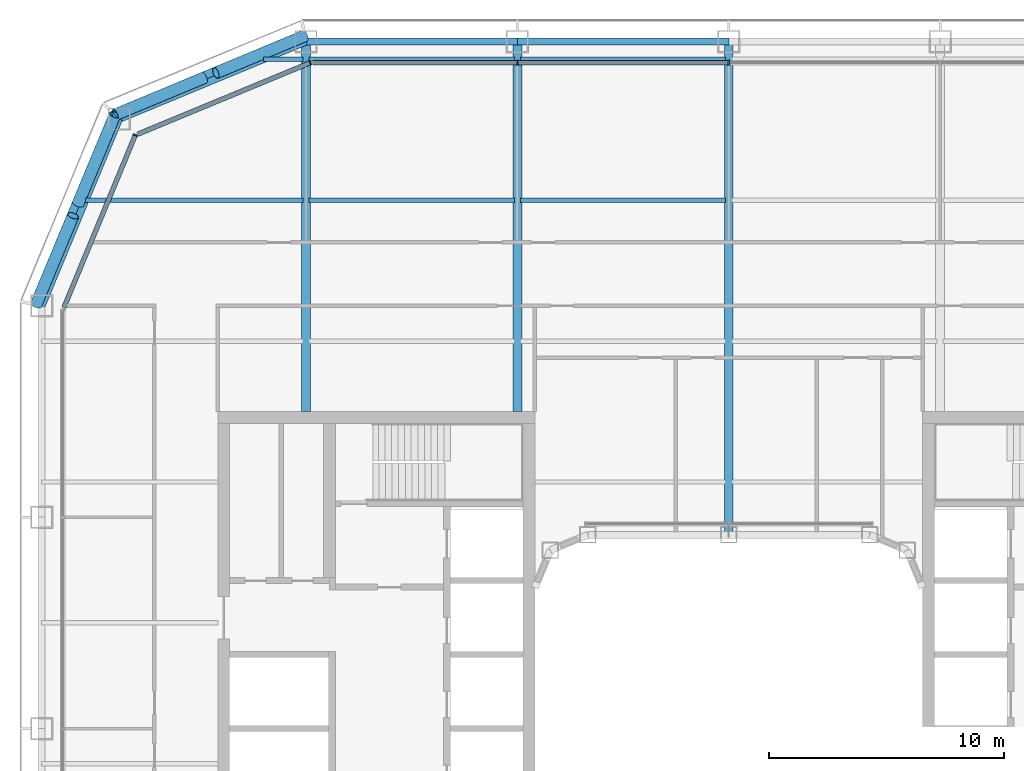
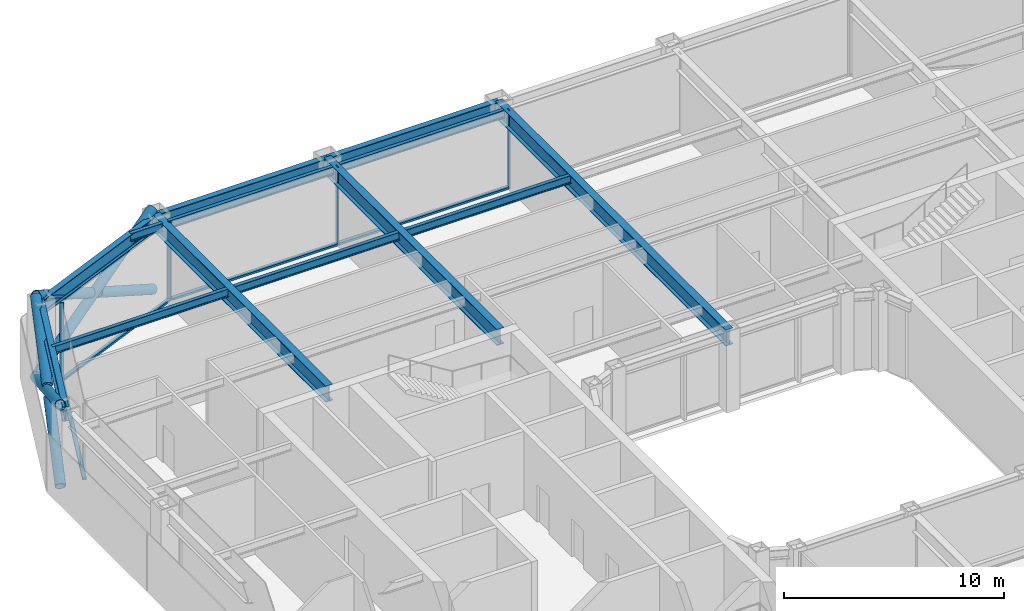
# One storey, part 7 of 21: 14 members, 13 beams, 3 elements without a shape of their own.
"""IFC4 building model written with IfcOpenShell, lengths in metres."""

from ifc_helpers import new_model, si_unit, direction, frame, origin, origin_2d, place, context, subcontext, project, spatial, rectangle, hollow_circle, i_section, extrude, material, layer, layer_set, material_profile, profile_set, type_object, element, aggregate, save


model = new_model("IFC4")

# Units and contexts
model_context = context("Model", 3, precision=1e-05, world=origin(), true_north=direction((0.0, 1.0)))
body_context = subcontext(model_context, "Body", "Model", "MODEL_VIEW")
ifc_project = project(units=[si_unit("LENGTHUNIT", "METRE"), si_unit("AREAUNIT", "SQUARE_METRE"), si_unit("VOLUMEUNIT", "CUBIC_METRE"), si_unit("PLANEANGLEUNIT", "RADIAN"), si_unit("MASSUNIT", "GRAM", prefix="KILO")], contexts=[model_context])

# Site, building, storey
site_placement = place(None, origin())
site = spatial("IfcSite", under=ifc_project, at=site_placement, CompositionType="ELEMENT")
building_placement = place(site_placement, origin())
building = spatial("IfcBuilding", under=site, at=building_placement, Name="Siwar Civic Tower", CompositionType="ELEMENT")
storey_placement = place(building_placement, frame((0.0, 0.0, 122.699951171875)))
storey = spatial("IfcBuildingStorey", under=building, at=storey_placement, Name="L26", CompositionType="ELEMENT", Elevation=122.699951171875)

# Curtain wall, members
ifc_material_1 = material(Name="Aluminium and glass", Category="aluminium")
ifc_layer_1 = layer(ifc_material_1, 0.199951171875)
ifc_layer_set_1 = layer_set([ifc_layer_1], Name="Aluminium and glass")
curtain_wall_type_1 = type_object("IfcCurtainWallType", Name="ENV-CW-B", PredefinedType="NOTDEFINED", material=ifc_layer_set_1)
curtain_wall_1_placement = place(storey_placement, origin())
curtain_wall_1 = element("IfcCurtainWall", 1, at=curtain_wall_1_placement, inside=storey, type_object=curtain_wall_type_1, Name="Curtain wall B N", PredefinedType="NOTDEFINED")
ifc_material_2 = material(Name="Aluminium 6063-T6", Category="aluminium")
ifc_material_profile_1 = material_profile(ifc_material_2, rectangle(XDim=0.199951171875, YDim=0.06494140625, at=origin_2d()), Name="AL 200x65")
ifc_profile_set_1 = profile_set([ifc_material_profile_1], Name="Aluminium 6063-T6")
member_type_1 = type_object("IfcMemberType", Name="ENV-MULLION-B", PredefinedType="MULLION", material=ifc_profile_set_1)
member_1_placement = place(storey_placement, frame((0.0, 28.35009765625, 0.0), z_axis=(0.0, 0.0, 1.0), x_axis=(0.0, -1.0, 0.0)))
member_1 = element("IfcMember", 2, at=member_1_placement, type_object=member_type_1, Name="Mullion B N 3", PredefinedType="MULLION", context=body_context, shape_type="SweptSolid", body=[
    extrude(rectangle(XDim=0.199951171875, YDim=0.06494140625, at=origin_2d()), origin(), (0.0, 0.0, 1.0), 4.35009765625),
])
member_2_placement = place(storey_placement, frame((-9.0, 28.35009765625, 0.0), z_axis=(0.0, 0.0, 1.0), x_axis=(0.0, -1.0, 0.0)))
member_2 = element("IfcMember", 3, at=member_2_placement, type_object=member_type_1, Name="Mullion B N 4", PredefinedType="MULLION", context=body_context, shape_type="SweptSolid", body=[
    extrude(rectangle(XDim=0.199951171875, YDim=0.06494140625, at=origin_2d()), origin(), (0.0, 0.0, 1.0), 4.35009765625),
])

# Curtain wall, member
ifc_material_3 = material(Name="Aluminium clad insulated panel", Category="aluminium")
ifc_layer_2 = layer(ifc_material_3, 0.199951171875)
ifc_layer_set_2 = layer_set([ifc_layer_2], Name="Aluminium clad insulated panel")
curtain_wall_type_2 = type_object("IfcCurtainWallType", Name="ENV-CW-BX", PredefinedType="NOTDEFINED", material=ifc_layer_set_2)
curtain_wall_2_placement = place(storey_placement, origin())
curtain_wall_2 = element("IfcCurtainWall", 4, at=curtain_wall_2_placement, inside=storey, type_object=curtain_wall_type_2, Name="Curtain wall B NW1", PredefinedType="NOTDEFINED")
member_3_placement = place(storey_placement, frame((-17.821044921875, 28.35009765625, 0.0), z_axis=(0.0, 0.0, 1.0), x_axis=(0.382683432365, -0.923879532511, 0.0)))
member_3 = element("IfcMember", 5, at=member_3_placement, type_object=member_type_1, Name="Mullion B NW1 1", PredefinedType="MULLION", context=body_context, shape_type="SweptSolid", body=[
    extrude(rectangle(XDim=0.199951171875, YDim=0.06494140625, at=origin_2d()), origin(), (0.0, 0.0, 1.0), 4.35009765625),
])

curtain_wall_3_placement = place(storey_placement, origin())
curtain_wall_3 = element("IfcCurtainWall", 6, at=curtain_wall_3_placement, inside=storey, type_object=curtain_wall_type_2, Name="Curtain wall B NW2", PredefinedType="NOTDEFINED")
member_4_placement = place(storey_placement, frame((-25.26611328125, 25.26611328125, 0.0), z_axis=(0.0, 0.0, 1.0), x_axis=(0.923879532511, -0.382683432365, 0.0)))
member_4 = element("IfcMember", 7, at=member_4_placement, type_object=member_type_1, Name="Mullion B NW2 1", PredefinedType="MULLION", context=body_context, shape_type="SweptSolid", body=[
    extrude(rectangle(XDim=0.199951171875, YDim=0.06494140625, at=origin_2d()), origin(), (0.0, 0.0, 1.0), 4.35009765625),
])

# Member
ifc_material_4 = material(Name="Aluminium 6063-T6", Category="aluminium")
ifc_material_profile_2 = material_profile(ifc_material_4, rectangle(XDim=0.199951171875, YDim=0.110107421875, at=origin_2d()), Name="AL 200x110")
ifc_profile_set_2 = profile_set([ifc_material_profile_2], Name="Aluminium 6063-T6")
member_type_2 = type_object("IfcMemberType", Name="ENV-TRANSOM-B", PredefinedType="USERDEFINED", material=ifc_profile_set_2)
member_5_placement = place(storey_placement, frame((-0.032470703125, 28.35009765625, 0.054931640625), z_axis=(-1.0, 0.0, 0.0), x_axis=(0.0, -1.0, 0.0)))
member_5 = element("IfcMember", 8, at=member_5_placement, type_object=member_type_2, Name="Transom B N 3", ObjectType="TRANSOM", PredefinedType="USERDEFINED", context=body_context, shape_type="SweptSolid", body=[
    extrude(rectangle(XDim=0.199951171875, YDim=0.110107421875, at=origin_2d()), origin(), (0.0, 0.0, 1.0), 8.93505859375),
])

member_6_placement = place(storey_placement, frame((-9.032470703125, 28.35009765625, 0.054931640625), z_axis=(-1.0, 0.0, 0.0), x_axis=(0.0, -1.0, 0.0)))
member_6 = element("IfcMember", 9, at=member_6_placement, type_object=member_type_2, Name="Transom B N 4", ObjectType="TRANSOM", PredefinedType="USERDEFINED", context=body_context, shape_type="SweptSolid", body=[
    extrude(rectangle(XDim=0.199951171875, YDim=0.110107421875, at=origin_2d()), origin(), (0.0, 0.0, 1.0), 8.6748046875),
])

aggregate(curtain_wall_1, [member_1, member_2, member_5, member_6])

member_7_placement = place(storey_placement, frame((-17.85107421875, 28.337646484375, 0.054931640625), z_axis=(-0.92387279587, -0.382699695651, 0.0), x_axis=(0.382699695651, -0.92387279587, 0.0)))
member_7 = element("IfcMember", 10, at=member_7_placement, type_object=member_type_2, Name="Transom B NW1 1", ObjectType="TRANSOM", PredefinedType="USERDEFINED", context=body_context, shape_type="SweptSolid", body=[
    extrude(rectangle(XDim=0.199951171875, YDim=0.110107421875, at=origin_2d()), origin(), (0.0, 0.0, 1.0), 7.912353515625),
])

aggregate(curtain_wall_2, [member_3, member_7])

member_8_placement = place(storey_placement, frame((-25.278564453125, 25.236083984375, 0.054931640625), z_axis=(-0.382673358825, -0.923883705044, 0.0), x_axis=(0.923883705044, -0.382673358825, 0.0)))
member_8 = element("IfcMember", 11, at=member_8_placement, type_object=member_type_2, Name="Transom B NW2 1", ObjectType="TRANSOM", PredefinedType="USERDEFINED", context=body_context, shape_type="SweptSolid", body=[
    extrude(rectangle(XDim=0.199951171875, YDim=0.110107421875, at=origin_2d()), origin(), (0.0, 0.0, 1.0), 7.912353515625),
])

aggregate(curtain_wall_3, [member_4, member_8])

# Members
ifc_material_5 = material(Name="Steel S355", Category="steel")
ifc_material_profile_3 = material_profile(ifc_material_5, hollow_circle(Radius=0.25390625, WallThickness=0.02490234375, at=origin_2d()), Name="CHS508x25")
ifc_profile_set_3 = profile_set([ifc_material_profile_3], Name="Steel S355")
member_type_3 = type_object("IfcMemberType", Name="STR-BR-CHS508x25", PredefinedType="BRACE", material=ifc_profile_set_3)
member_9_placement = place(storey_placement, frame((-26.1318359375, 26.1318359375, 0.0), z_axis=(-0.341671493852, -0.821142553604, 0.457149315816), x_axis=(0.923264922524, -0.384163874976, 0.0)))
element("IfcMember", 12, at=member_9_placement, inside=storey, type_object=member_type_3, Name="L26/brc/BNW1-5-0-1", PredefinedType="BRACE", context=body_context, shape_type="SweptSolid", body=[
    extrude(hollow_circle(Radius=0.25390625, WallThickness=0.02490234375, at=origin_2d()), origin(), (0.0, 0.0, 1.0), 9.843505859375),
])
for number, where, z_axis, x_axis, name in (
    (13, (-29.4951171875, 18.048828125, 0.0), (0.341677318012, 0.821126041429, 0.457174621391), (-0.923259859753, 0.384176042158, 0.0), "L26/brc/BNW1-5-0-2"),
    (14, (-27.70849609375, 22.342529296875, 2.390625), (0.341670737976, 0.821163134736, 0.457112910516), (-0.923268638995, 0.384154943021, 0.0), "L26/brc/BNW1-5-0-3"),
):
    element("IfcMember", number, at=place(storey_placement, frame(where, z_axis=z_axis, x_axis=x_axis)), inside=storey, type_object=member_type_3, Name=name, PredefinedType="BRACE", context=body_context, shape_type="SweptSolid", body=[
        extrude(hollow_circle(Radius=0.25390625, WallThickness=0.02490234375, at=origin_2d()), origin(), (0.0, 0.0, 1.0), 4.614501953125),
    ])
member_10_placement = place(storey_placement, frame((-26.1318359375, 26.1318359375, 0.0), z_axis=(0.821142553604, 0.341671493852, 0.457149315816), x_axis=(-0.384163874976, 0.923264922524, 0.0)))
element("IfcMember", 15, at=member_10_placement, inside=storey, type_object=member_type_3, Name="L26/brc/BNW1-5-0-0", PredefinedType="BRACE", context=body_context, shape_type="SweptSolid", body=[
    extrude(hollow_circle(Radius=0.25390625, WallThickness=0.02490234375, at=origin_2d()), origin(), (0.0, 0.0, 1.0), 9.843505859375),
])
for number, where, z_axis, x_axis, name in (
    (16, (-18.048828125, 29.4951171875, 0.0), (-0.821126041429, -0.341677318012, 0.457174621391), (0.384176042158, -0.923259859753, 0.0), "L26/brc/BNW1-5-0-4"),
    (17, (-22.342529296875, 27.70849609375, 2.390625), (-0.821163134736, -0.341670737976, 0.457112910516), (0.384154943021, -0.923268638995, 0.0), "L26/brc/BNW1-5-0-5"),
):
    element("IfcMember", number, at=place(storey_placement, frame(where, z_axis=z_axis, x_axis=x_axis)), inside=storey, type_object=member_type_3, Name=name, PredefinedType="BRACE", context=body_context, shape_type="SweptSolid", body=[
        extrude(hollow_circle(Radius=0.25390625, WallThickness=0.02490234375, at=origin_2d()), origin(), (0.0, 0.0, 1.0), 4.614501953125),
    ])

# Beams
ifc_material_6 = material(Name="Steel S355", Category="steel")
ifc_material_profile_4 = material_profile(ifc_material_6, i_section(OverallWidth=0.18994140625, OverallDepth=0.449951171875, WebThickness=0.009521484375, FlangeThickness=0.0146484375, FilletRadius=0.02099609375, at=origin_2d()), Name="IPE450")
ifc_profile_set_4 = profile_set([ifc_material_profile_4], Name="Steel S355")
beam_type_1 = type_object("IfcBeamType", Name="STR-FB-IPE450", PredefinedType="JOIST", material=ifc_profile_set_4)
beam_1_placement = place(storey_placement, frame((-27.385986328125, 22.5, 4.125), z_axis=(1.0, 0.0, 0.0), x_axis=(0.0, 1.0, 0.0)))
element("IfcBeam", 18, at=beam_1_placement, inside=storey, type_object=beam_type_1, Name="L26/bm/F037", PredefinedType="JOIST", context=body_context, shape_type="SweptSolid", body=[
    extrude(i_section(OverallWidth=0.18994140625, OverallDepth=0.449951171875, WebThickness=0.009521484375, FlangeThickness=0.0146484375, FilletRadius=0.02099609375, at=origin_2d()), origin(), (0.0, 0.0, 1.0), 9.256103515625),
])
for number, where, z_axis, x_axis, name in (
    (19, (-17.8701171875, 22.5, 4.125), (1.0, 0.0, 0.0), (0.0, 1.0, 0.0), "L26/bm/F038"),
    (20, (-8.8701171875, 22.5, 4.125), (1.0, 0.0, 0.0), (0.0, 1.0, 0.0), "L26/bm/F039"),
):
    element("IfcBeam", number, at=place(storey_placement, frame(where, z_axis=z_axis, x_axis=x_axis)), inside=storey, type_object=beam_type_1, Name=name, PredefinedType="JOIST", context=body_context, shape_type="SweptSolid", body=[
        extrude(i_section(OverallWidth=0.18994140625, OverallDepth=0.449951171875, WebThickness=0.009521484375, FlangeThickness=0.0146484375, FilletRadius=0.02099609375, at=origin_2d()), origin(), (0.0, 0.0, 1.0), 8.740234375),
    ])
beam_2_placement = place(storey_placement, frame((-19.810546875, 28.5, 4.125), z_axis=(1.0, 0.0, 0.0), x_axis=(0.0, 1.0, 0.0)))
element("IfcBeam", 21, at=beam_2_placement, inside=storey, type_object=beam_type_1, Name="L26/bm/F043", PredefinedType="JOIST", context=body_context, shape_type="SweptSolid", body=[
    extrude(i_section(OverallWidth=0.18994140625, OverallDepth=0.449951171875, WebThickness=0.009521484375, FlangeThickness=0.0146484375, FilletRadius=0.02099609375, at=origin_2d()), origin(), (0.0, 0.0, 1.0), 1.6806640625),
])
for number, where, z_axis, x_axis, name in (
    (22, (-17.8701171875, 28.5, 4.125), (1.0, 0.0, 0.0), (0.0, 1.0, 0.0), "L26/bm/F044"),
    (23, (-8.8701171875, 28.5, 4.125), (1.0, 0.0, 0.0), (0.0, 1.0, 0.0), "L26/bm/F045"),
):
    element("IfcBeam", number, at=place(storey_placement, frame(where, z_axis=z_axis, x_axis=x_axis)), inside=storey, type_object=beam_type_1, Name=name, PredefinedType="JOIST", context=body_context, shape_type="SweptSolid", body=[
        extrude(i_section(OverallWidth=0.18994140625, OverallDepth=0.449951171875, WebThickness=0.009521484375, FlangeThickness=0.0146484375, FilletRadius=0.02099609375, at=origin_2d()), origin(), (0.0, 0.0, 1.0), 8.740234375),
    ])
ifc_material_7 = material(Name="Steel S355", Category="steel")
ifc_material_profile_5 = material_profile(ifc_material_7, i_section(OverallWidth=0.3798828125, OverallDepth=0.89990234375, WebThickness=0.01611328125, FlangeThickness=0.035888671875, at=origin_2d()), Name="PG900x380x16x36")
ifc_profile_set_5 = profile_set([ifc_material_profile_5], Name="Steel S355")
beam_type_2 = type_object("IfcBeamType", Name="STR-PG-PG900x380x16x36", PredefinedType="BEAM", material=ifc_profile_set_5)
for number, where, z_axis, x_axis, name in (
    (24, (-18.0, 13.5, 3.900146484375), (0.0, 1.0, 0.0), (-1.0, 0.0, 0.0), "L26/bm/G02"),
    (25, (-9.0, 13.5, 3.900146484375), (0.0, 1.0, 0.0), (-1.0, 0.0, 0.0), "L26/bm/G04"),
):
    element("IfcBeam", number, at=place(storey_placement, frame(where, z_axis=z_axis, x_axis=x_axis)), inside=storey, type_object=beam_type_2, Name=name, PredefinedType="BEAM", context=body_context, shape_type="SweptSolid", body=[
        extrude(i_section(OverallWidth=0.3798828125, OverallDepth=0.89990234375, WebThickness=0.01611328125, FlangeThickness=0.035888671875, at=origin_2d()), origin(), (0.0, 0.0, 1.0), 15.75),
    ])
beam_3_placement = place(storey_placement, frame((0.0, 8.25, 3.900146484375), z_axis=(0.0, 1.0, 0.0), x_axis=(-1.0, 0.0, 0.0)))
element("IfcBeam", 26, at=beam_3_placement, inside=storey, type_object=beam_type_2, Name="L26/bm/G06", PredefinedType="BEAM", context=body_context, shape_type="SweptSolid", body=[
    extrude(i_section(OverallWidth=0.3798828125, OverallDepth=0.89990234375, WebThickness=0.01611328125, FlangeThickness=0.035888671875, at=origin_2d()), origin(), (0.0, 0.0, 1.0), 21.0),
])
ifc_material_8 = material(Name="Steel S355", Category="steel")
ifc_material_profile_6 = material_profile(ifc_material_8, i_section(OverallWidth=0.300048828125, OverallDepth=0.800048828125, WebThickness=0.017578125, FlangeThickness=0.032958984375, FilletRadius=0.030029296875, at=origin_2d()), Name="HEB800")
ifc_profile_set_6 = profile_set([ifc_material_profile_6], Name="Steel S355")
beam_type_3 = type_object("IfcBeamType", Name="STR-SB-HEB800", PredefinedType="BEAM", material=ifc_profile_set_6)
for number, where, z_axis, x_axis, name in (
    (27, (0.0, 29.25, 3.949951171875), (-1.0, 0.0, 0.0), (0.0, -1.0, 0.0), "L26/bm/SN-2"),
    (28, (-9.0, 29.25, 3.949951171875), (-1.0, 0.0, 0.0), (0.0, -1.0, 0.0), "L26/bm/SN-3"),
):
    element("IfcBeam", number, at=place(storey_placement, frame(where, z_axis=z_axis, x_axis=x_axis)), inside=storey, type_object=beam_type_3, Name=name, PredefinedType="BEAM", context=body_context, shape_type="SweptSolid", body=[
        extrude(i_section(OverallWidth=0.300048828125, OverallDepth=0.800048828125, WebThickness=0.017578125, FlangeThickness=0.032958984375, FilletRadius=0.030029296875, at=origin_2d()), origin(), (0.0, 0.0, 1.0), 9.0),
    ])
for number, where, z_axis, x_axis, name in (
    (29, (-18.0, 29.25, 3.949951171875), (-0.923872720536, -0.382699877515, 0.0), (0.382699877515, -0.923872720536, 0.0), "L26/bm/SNW1-0"),
    (30, (-25.954833984375, 25.954833984375, 3.949951171875), (-0.382699877515, -0.923872720536, 0.0), (0.923872720536, -0.382699877515, 0.0), "L26/bm/SNW2-0"),
):
    element("IfcBeam", number, at=place(storey_placement, frame(where, z_axis=z_axis, x_axis=x_axis)), inside=storey, type_object=beam_type_3, Name=name, PredefinedType="BEAM", context=body_context, shape_type="SweptSolid", body=[
        extrude(i_section(OverallWidth=0.300048828125, OverallDepth=0.800048828125, WebThickness=0.017578125, FlangeThickness=0.032958984375, FilletRadius=0.030029296875, at=origin_2d()), origin(), (0.0, 0.0, 1.0), 8.6103515625),
    ])

save(model, "model.ifc")
